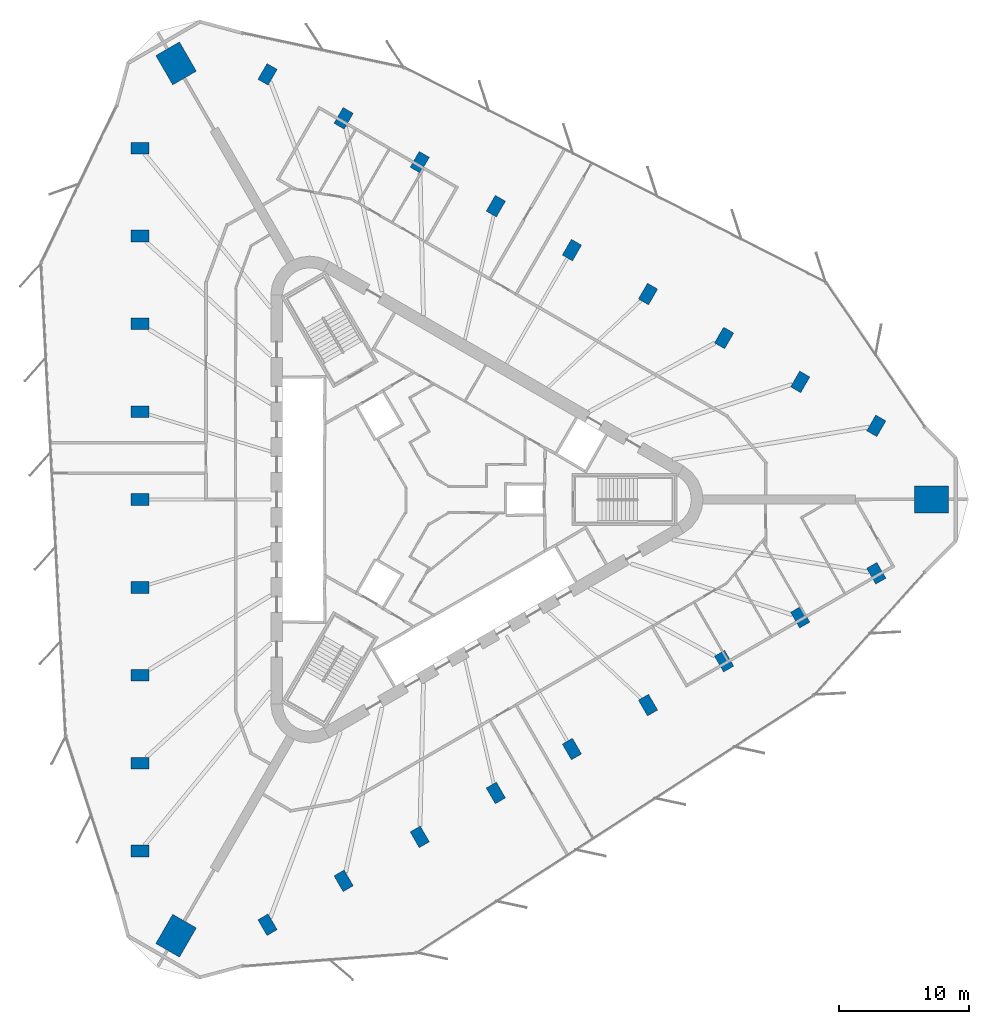
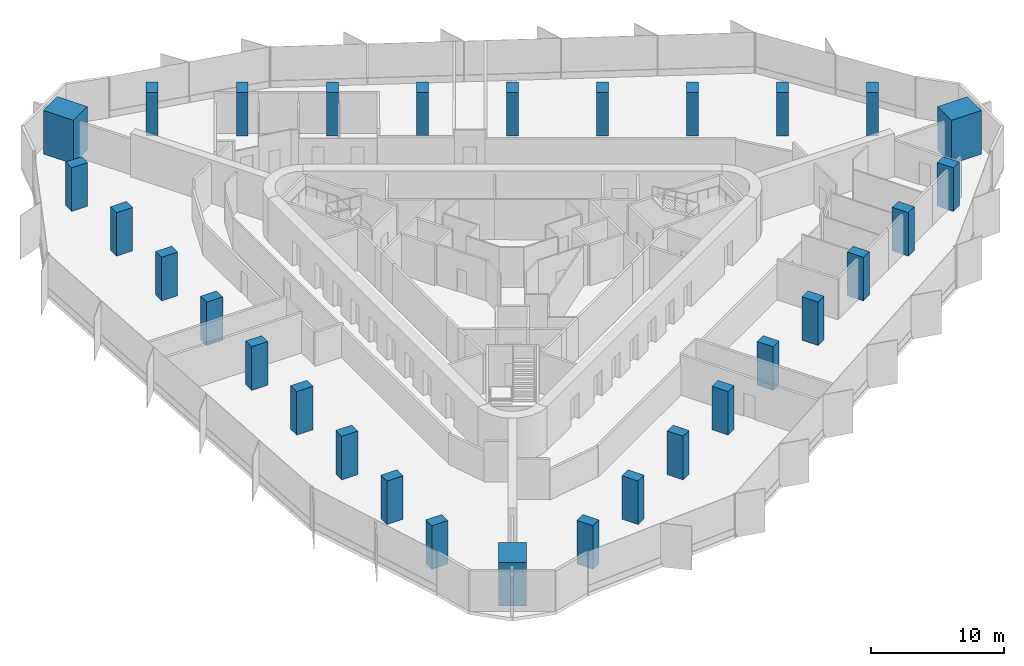
# One storey, part 1 of 14: 30 columns.
"""IFC4 building model written with IfcOpenShell, lengths in metres."""

from ifc_helpers import new_model, si_unit, direction, frame, origin, origin_2d, place, context, subcontext, project, spatial, rectangle, extrude, material, material_profile, profile_set, type_object, element, save


model = new_model("IFC4")

# Units and contexts
model_context = context("Model", 3, precision=1e-05, world=origin(), true_north=direction((0.0, 1.0)))
body_context = subcontext(model_context, "Body", "Model", "MODEL_VIEW")
ifc_project = project(units=[si_unit("LENGTHUNIT", "METRE"), si_unit("AREAUNIT", "SQUARE_METRE"), si_unit("VOLUMEUNIT", "CUBIC_METRE"), si_unit("PLANEANGLEUNIT", "RADIAN"), si_unit("MASSUNIT", "GRAM", prefix="KILO")], contexts=[model_context])

# Site, building, storey
site_placement = place(None, origin())
site = spatial("IfcSite", under=ifc_project, at=site_placement, CompositionType="ELEMENT")
building_placement = place(site_placement, origin())
building = spatial("IfcBuilding", under=site, at=building_placement, Name="Tanit Gate Tower", CompositionType="ELEMENT")
storey_placement = place(building_placement, frame((0.0, 0.0, 213.199951171875)))
storey = spatial("IfcBuildingStorey", under=building, at=storey_placement, Name="L47", CompositionType="ELEMENT", Elevation=213.199951171875)

# Columns
ifc_material_1 = material(Name="Concrete C60/75", Category="concrete")
ifc_material_profile_1 = material_profile(ifc_material_1, rectangle(XDim=2.60009765625, YDim=2.10009765625, at=origin_2d()), Name="RC 2600x2100")
ifc_profile_set_1 = profile_set([ifc_material_profile_1], Name="Concrete C60/75")
column_type_1 = type_object("IfcColumnType", Name="MEGA COLUMN 2600x2100 C60/75", PredefinedType="COLUMN", material=ifc_profile_set_1)
for number, where, z_axis, x_axis, name in (
    (1, (38.81103515625, 0.0, 0.0), (0.0, 0.0, 1.0), (1.0, 0.0, 0.0), "MEGA COLUMN"),
    (2, (-19.405517578125, 33.611328125, 0.0), (0.0, 0.0, 1.0), (-0.5, 0.866025403784, 0.0), "MEGA COLUMN"),
    (3, (-19.405517578125, -33.611328125, 0.0), (0.0, 0.0, 1.0), (-0.5, -0.866025403784, 0.0), "MEGA COLUMN"),
):
    element("IfcColumn", number, at=place(storey_placement, frame(where, z_axis=z_axis, x_axis=x_axis)), inside=storey, type_object=column_type_1, Name=name, PredefinedType="COLUMN", context=body_context, shape_type="SweptSolid", body=[
        extrude(rectangle(XDim=2.60009765625, YDim=2.10009765625, at=origin_2d()), origin(), (0.0, 0.0, 1.0), 4.0),
    ])
ifc_material_2 = material(Name="Concrete C50/60", Category="concrete")
ifc_material_profile_2 = material_profile(ifc_material_2, rectangle(XDim=1.39990234375, YDim=0.89990234375, at=origin_2d()), Name="RC 1400x900")
ifc_profile_set_2 = profile_set([ifc_material_profile_2], Name="Concrete C50/60")
column_type_2 = type_object("IfcColumnType", Name="PERIMETER COLUMN 1400x900 C50/60", PredefinedType="COLUMN", material=ifc_profile_set_2)
for number, where, z_axis, x_axis, name in (
    (4, (-22.197021484375, 27.083984375, 0.0), (0.0, 0.0, 1.0), (-1.0, 0.0, 0.0), "PERIMETER COLUMN"),
    (5, (-22.197021484375, 20.31298828125, 0.0), (0.0, 0.0, 1.0), (-1.0, 0.0, 0.0), "PERIMETER COLUMN"),
    (6, (-22.197021484375, 13.5419921875, 0.0), (0.0, 0.0, 1.0), (-1.0, 0.0, 0.0), "PERIMETER COLUMN"),
    (7, (-22.197021484375, 6.77099609375, 0.0), (0.0, 0.0, 1.0), (-1.0, 0.0, 0.0), "PERIMETER COLUMN"),
    (8, (-22.197021484375, 0.0, 0.0), (0.0, 0.0, 1.0), (-1.0, 0.0, 0.0), "PERIMETER COLUMN"),
    (9, (-22.197021484375, -6.77099609375, 0.0), (0.0, 0.0, 1.0), (-1.0, 0.0, 0.0), "PERIMETER COLUMN"),
    (10, (-22.197021484375, -13.5419921875, 0.0), (0.0, 0.0, 1.0), (-1.0, 0.0, 0.0), "PERIMETER COLUMN"),
    (11, (-22.197021484375, -20.31298828125, 0.0), (0.0, 0.0, 1.0), (-1.0, 0.0, 0.0), "PERIMETER COLUMN"),
    (12, (-22.197021484375, -27.083984375, 0.0), (0.0, 0.0, 1.0), (-1.0, 0.0, 0.0), "PERIMETER COLUMN"),
    (13, (34.5537109375, 5.68115234375, 0.0), (0.0, 0.0, 1.0), (0.5, 0.866025403784, 0.0), "PERIMETER COLUMN"),
    (14, (28.68994140625, 9.066650390625, 0.0), (0.0, 0.0, 1.0), (0.5, 0.866025403784, 0.0), "PERIMETER COLUMN"),
    (15, (22.826171875, 12.4521484375, 0.0), (0.0, 0.0, 1.0), (0.5, 0.866025403784, 0.0), "PERIMETER COLUMN"),
    (16, (16.96240234375, 15.837646484375, 0.0), (0.0, 0.0, 1.0), (0.5, 0.866025403784, 0.0), "PERIMETER COLUMN"),
    (17, (11.098388671875, 19.22314453125, 0.0), (0.0, 0.0, 1.0), (0.5, 0.866025403784, 0.0), "PERIMETER COLUMN"),
    (18, (5.234619140625, 22.608642578125, 0.0), (0.0, 0.0, 1.0), (0.5, 0.866025403784, 0.0), "PERIMETER COLUMN"),
    (19, (-0.629150390625, 25.994140625, 0.0), (0.0, 0.0, 1.0), (0.5, 0.866025403784, 0.0), "PERIMETER COLUMN"),
    (20, (-6.4931640625, 29.379638671875, 0.0), (0.0, 0.0, 1.0), (0.5, 0.866025403784, 0.0), "PERIMETER COLUMN"),
    (21, (-12.35693359375, 32.76513671875, 0.0), (0.0, 0.0, 1.0), (0.5, 0.866025403784, 0.0), "PERIMETER COLUMN"),
    (22, (-12.35693359375, -32.76513671875, 0.0), (0.0, 0.0, 1.0), (0.5, -0.866025403784, 0.0), "PERIMETER COLUMN"),
    (23, (-6.4931640625, -29.379638671875, 0.0), (0.0, 0.0, 1.0), (0.5, -0.866025403784, 0.0), "PERIMETER COLUMN"),
    (24, (-0.629150390625, -25.994140625, 0.0), (0.0, 0.0, 1.0), (0.5, -0.866025403784, 0.0), "PERIMETER COLUMN"),
    (25, (5.234619140625, -22.608642578125, 0.0), (0.0, 0.0, 1.0), (0.5, -0.866025403784, 0.0), "PERIMETER COLUMN"),
    (26, (11.098388671875, -19.22314453125, 0.0), (0.0, 0.0, 1.0), (0.5, -0.866025403784, 0.0), "PERIMETER COLUMN"),
    (27, (16.96240234375, -15.837646484375, 0.0), (0.0, 0.0, 1.0), (0.5, -0.866025403784, 0.0), "PERIMETER COLUMN"),
    (28, (22.826171875, -12.4521484375, 0.0), (0.0, 0.0, 1.0), (0.5, -0.866025403784, 0.0), "PERIMETER COLUMN"),
    (29, (28.68994140625, -9.066650390625, 0.0), (0.0, 0.0, 1.0), (0.5, -0.866025403784, 0.0), "PERIMETER COLUMN"),
    (30, (34.5537109375, -5.68115234375, 0.0), (0.0, 0.0, 1.0), (0.5, -0.866025403784, 0.0), "PERIMETER COLUMN"),
):
    element("IfcColumn", number, at=place(storey_placement, frame(where, z_axis=z_axis, x_axis=x_axis)), inside=storey, type_object=column_type_2, Name=name, PredefinedType="COLUMN", context=body_context, shape_type="SweptSolid", body=[
        extrude(rectangle(XDim=1.39990234375, YDim=0.89990234375, at=origin_2d()), origin(), (0.0, 0.0, 1.0), 4.0),
    ])

save(model, "model.ifc")
